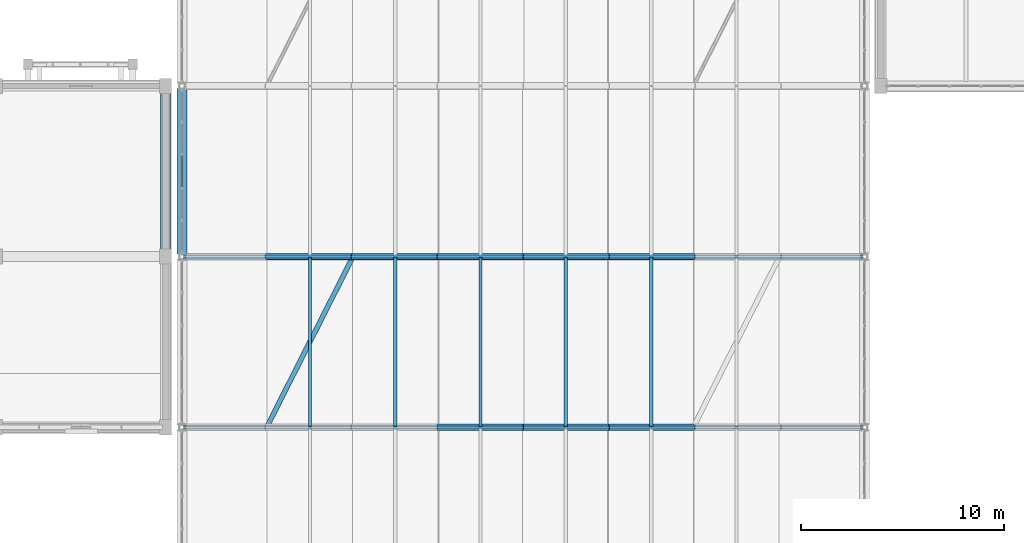
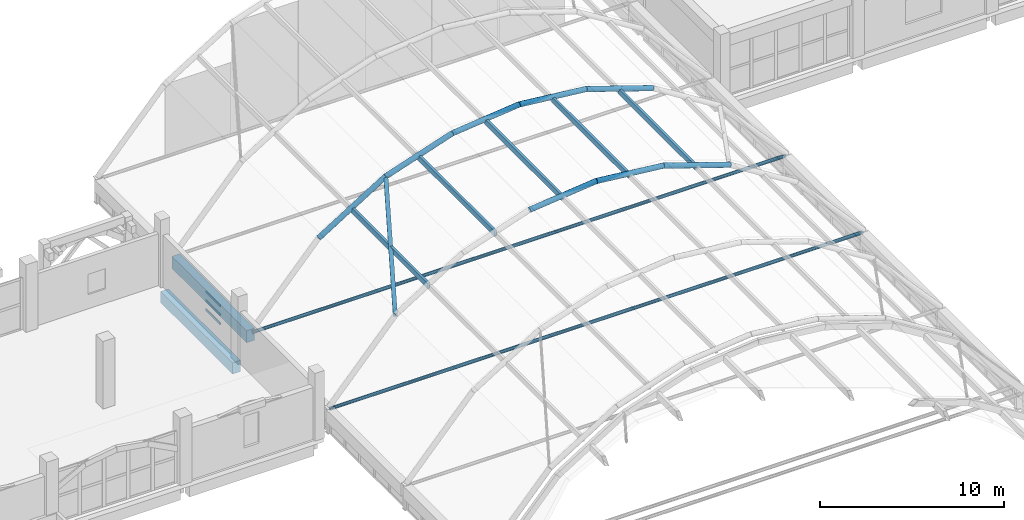
# One storey, part 62 of 114: 12 beams, 9 members, 1 element without a shape of its own.
"""IFC4 building model written with IfcOpenShell, lengths in metres."""

from ifc_helpers import new_model, si_unit, direction, frame, origin, origin_2d, place, context, subcontext, project, spatial, rectangle, hollow_rectangle, hollow_circle, i_section, extrude, material, layer, layer_set, material_profile, profile_set, type_object, element, aggregate, save


model = new_model("IFC4")

# Units and contexts
model_context = context("Model", 3, precision=1e-05, world=origin(), true_north=direction((0.0, 1.0)))
body_context = subcontext(model_context, "Body", "Model", "MODEL_VIEW")
ifc_project = project(units=[si_unit("LENGTHUNIT", "METRE"), si_unit("AREAUNIT", "SQUARE_METRE"), si_unit("VOLUMEUNIT", "CUBIC_METRE"), si_unit("PLANEANGLEUNIT", "RADIAN"), si_unit("MASSUNIT", "GRAM", prefix="KILO")], contexts=[model_context])

# Site, building, storey
site_placement = place(None, origin())
site = spatial("IfcSite", under=ifc_project, at=site_placement, CompositionType="ELEMENT")
building_placement = place(site_placement, origin())
building = spatial("IfcBuilding", under=site, at=building_placement, Name="Xazarin Passage Department Store", CompositionType="ELEMENT")
storey_placement = place(building_placement, frame((0.0, 0.0, 14.39990234375)))
storey = spatial("IfcBuildingStorey", under=building, at=storey_placement, Name="L03", CompositionType="ELEMENT", Elevation=14.39990234375)

# Curtain wall, members
ifc_material_1 = material(Name="Bronze anodised aluminium", Category="aluminium")
ifc_layer = layer(ifc_material_1, 0.159912109375)
ifc_layer_set = layer_set([ifc_layer], Name="Bronze anodised aluminium")
curtain_wall_type = type_object("IfcCurtainWallType", Name="ARC-CW-ARC1", PredefinedType="NOTDEFINED", material=ifc_layer_set)
curtain_wall_placement = place(storey_placement, origin())
curtain_wall = element("IfcCurtainWall", 1, at=curtain_wall_placement, inside=storey, type_object=curtain_wall_type, Name="L03 V2N Galleria Clerestory Curtain Wall 4W", PredefinedType="NOTDEFINED")
ifc_material_profile_1 = material_profile(ifc_material_1, hollow_rectangle(XDim=0.06494140625, YDim=0.139892578125, WallThickness=0.00390625, at=origin_2d()), Name="ALU 65x140")
ifc_profile_set_1 = profile_set([ifc_material_profile_1], Name="Bronze anodised aluminium")
member_type_1 = type_object("IfcMemberType", Name="ARC-CWT-65x140", PredefinedType="USERDEFINED", material=ifc_profile_set_1)
member_1_placement = place(storey_placement, frame((68.0, 79.824462890625, 0.03271484375), z_axis=(0.0, 1.0, 0.0), x_axis=(-1.0, 0.0, 0.0)))
member_1 = element("IfcMember", 2, at=member_1_placement, type_object=member_type_1, Name="CW3 transom 3.1", ObjectType="TRANSOM", PredefinedType="USERDEFINED", context=body_context, shape_type="SweptSolid", body=[
    extrude(hollow_rectangle(XDim=0.06494140625, YDim=0.139892578125, WallThickness=0.00390625, at=origin_2d()), origin(), (0.0, 0.0, 1.0), 1.551025390625),
])
member_2_placement = place(storey_placement, frame((68.0, 79.824462890625, 0.6259765625), z_axis=(0.0, 1.0, 0.0), x_axis=(-1.0, 0.0, 0.0)))
member_2 = element("IfcMember", 3, at=member_2_placement, type_object=member_type_1, Name="CW3 transom 3.2", ObjectType="TRANSOM", PredefinedType="USERDEFINED", context=body_context, shape_type="SweptSolid", body=[
    extrude(hollow_rectangle(XDim=0.06494140625, YDim=0.139892578125, WallThickness=0.00390625, at=origin_2d()), origin(), (0.0, 0.0, 1.0), 1.551025390625),
])
member_3_placement = place(storey_placement, frame((68.0, 79.824462890625, 1.21923828125), z_axis=(0.0, 1.0, 0.0), x_axis=(-1.0, 0.0, 0.0)))
member_3 = element("IfcMember", 4, at=member_3_placement, type_object=member_type_1, Name="CW3 transom 3.3", ObjectType="TRANSOM", PredefinedType="USERDEFINED", context=body_context, shape_type="SweptSolid", body=[
    extrude(hollow_rectangle(XDim=0.06494140625, YDim=0.139892578125, WallThickness=0.00390625, at=origin_2d()), origin(), (0.0, 0.0, 1.0), 1.551025390625),
])
aggregate(curtain_wall, [member_1, member_2, member_3])

# Beams
ifc_material_2 = material(Name="Steel S355", Category="steel")
ifc_material_profile_2 = material_profile(ifc_material_2, hollow_circle(Radius=0.161865234375, WallThickness=0.01611328125, at=origin_2d()), Name="CHS 323.9x16")
ifc_profile_set_2 = profile_set([ifc_material_profile_2], Name="Steel S355")
beam_type_1 = type_object("IfcBeamType", Name="STR-BM-AR324", PredefinedType="BEAM", material=ifc_profile_set_2)
for number, where, z_axis, x_axis, name in (
    (5, (80.60009765625, 68.0, 10.35400390625), (0.994407785938, 0.0, 0.105608499966), (0.0, 1.0, 0.0), "V2N Primary Arch Rib 3.4"),
    (6, (84.800048828125, 68.0, 10.800048828125), (0.994407785938, 0.0, -0.105608499966), (0.0, 1.0, 0.0), "V2N Primary Arch Rib 3.5"),
):
    element("IfcBeam", number, at=place(storey_placement, frame(where, z_axis=z_axis, x_axis=x_axis)), inside=storey, type_object=beam_type_1, Name=name, PredefinedType="BEAM", context=body_context, shape_type="SweptSolid", body=[
        extrude(hollow_circle(Radius=0.161865234375, WallThickness=0.01611328125, at=origin_2d()), origin(), (0.0, 0.0, 1.0), 4.2236328125),
    ])
beam_1_placement = place(storey_placement, frame((89.0, 68.0, 10.35400390625), z_axis=(0.948457009421, 0.0, -0.316905823993), x_axis=(0.0, 1.0, 0.0)))
element("IfcBeam", 7, at=beam_1_placement, inside=storey, type_object=beam_type_1, Name="V2N Primary Arch Rib 3.6", PredefinedType="BEAM", context=body_context, shape_type="SweptSolid", body=[
    extrude(hollow_circle(Radius=0.161865234375, WallThickness=0.01611328125, at=origin_2d()), origin(), (0.0, 0.0, 1.0), 4.42822265625),
])
beam_2_placement = place(storey_placement, frame((72.199951171875, 76.39990234375, 6.33203125), z_axis=(0.848571440894, 0.0, 0.529080815848), x_axis=(0.0, 1.0, 0.0)))
element("IfcBeam", 8, at=beam_2_placement, inside=storey, type_object=beam_type_1, Name="V2N Primary Arch Rib 4.2", PredefinedType="BEAM", context=body_context, shape_type="SweptSolid", body=[
    extrude(hollow_circle(Radius=0.161865234375, WallThickness=0.01611328125, at=origin_2d()), origin(), (0.0, 0.0, 1.0), 4.949462890625),
])
beam_3_placement = place(storey_placement, frame((76.39990234375, 76.39990234375, 8.95068359375), z_axis=(0.948462545979, 0.0, 0.31688925333), x_axis=(0.0, 1.0, 0.0)))
element("IfcBeam", 9, at=beam_3_placement, inside=storey, type_object=beam_type_1, Name="V2N Primary Arch Rib 4.3", PredefinedType="BEAM", context=body_context, shape_type="SweptSolid", body=[
    extrude(hollow_circle(Radius=0.161865234375, WallThickness=0.01611328125, at=origin_2d()), origin(), (0.0, 0.0, 1.0), 4.428466796875),
])
for number, where, z_axis, x_axis, name in (
    (10, (80.60009765625, 76.39990234375, 10.35400390625), (0.994407785938, 0.0, 0.105608499966), (0.0, 1.0, 0.0), "V2N Primary Arch Rib 4.4"),
    (11, (84.800048828125, 76.39990234375, 10.800048828125), (0.994407785938, 0.0, -0.105608499966), (0.0, 1.0, 0.0), "V2N Primary Arch Rib 4.5"),
):
    element("IfcBeam", number, at=place(storey_placement, frame(where, z_axis=z_axis, x_axis=x_axis)), inside=storey, type_object=beam_type_1, Name=name, PredefinedType="BEAM", context=body_context, shape_type="SweptSolid", body=[
        extrude(hollow_circle(Radius=0.161865234375, WallThickness=0.01611328125, at=origin_2d()), origin(), (0.0, 0.0, 1.0), 4.2236328125),
    ])
beam_4_placement = place(storey_placement, frame((89.0, 76.39990234375, 10.35400390625), z_axis=(0.948457009421, 0.0, -0.316905823993), x_axis=(0.0, 1.0, 0.0)))
element("IfcBeam", 12, at=beam_4_placement, inside=storey, type_object=beam_type_1, Name="V2N Primary Arch Rib 4.6", PredefinedType="BEAM", context=body_context, shape_type="SweptSolid", body=[
    extrude(hollow_circle(Radius=0.161865234375, WallThickness=0.01611328125, at=origin_2d()), origin(), (0.0, 0.0, 1.0), 4.42822265625),
])
ifc_material_3 = material(Name="Concrete C40/50", Category="concrete")
ifc_material_profile_3 = material_profile(ifc_material_3, rectangle(XDim=0.5, YDim=0.800048828125, at=origin_2d()), Name="RC 500x800")
ifc_profile_set_3 = profile_set([ifc_material_profile_3], Name="Concrete C40/50")
beam_type_2 = type_object("IfcBeamType", Name="STR-BM-RG500x800", PredefinedType="BEAM", material=ifc_profile_set_3)
beam_5_placement = place(storey_placement, frame((68.0, 76.52001953125, 1.251708984375), z_axis=(0.0, 1.0, 0.0), x_axis=(-1.0, 0.0, 0.0)))
element("IfcBeam", 13, at=beam_5_placement, inside=storey, type_object=beam_type_2, Name="V2N Springing Ring Girder W-4", PredefinedType="BEAM", context=body_context, shape_type="SweptSolid", body=[
    extrude(rectangle(XDim=0.5, YDim=0.800048828125, at=origin_2d()), origin(), (0.0, 0.0, 1.0), 8.159912109375),
])
ifc_material_4 = material(Name="Concrete C35/45", Category="concrete")
ifc_material_profile_4 = material_profile(ifc_material_4, rectangle(XDim=0.5, YDim=0.75, at=origin_2d()), Name="RC 500x750")
ifc_profile_set_4 = profile_set([ifc_material_profile_4], Name="Concrete C35/45")
beam_type_3 = type_object("IfcBeamType", Name="STR-BM-SP500x750", PredefinedType="SPANDREL", material=ifc_profile_set_4)
beam_6_placement = place(storey_placement, frame((67.199951171875, 76.679931640625, -0.6748046875), z_axis=(0.0, 1.0, 0.0), x_axis=(-1.0, 0.0, 0.0)))
element("IfcBeam", 14, at=beam_6_placement, inside=storey, type_object=beam_type_3, Name="L03 Grid Beam 9/L-M", PredefinedType="SPANDREL", context=body_context, shape_type="SweptSolid", body=[
    extrude(rectangle(XDim=0.5, YDim=0.75, at=origin_2d()), origin(), (0.0, 0.0, 1.0), 7.840087890625),
])
ifc_material_profile_5 = material_profile(ifc_material_2, hollow_circle(Radius=0.109619140625, WallThickness=0.012451171875, at=origin_2d()), Name="CHS 219.1x12.5")
ifc_profile_set_5 = profile_set([ifc_material_profile_5], Name="Steel S355")
beam_type_4 = type_object("IfcBeamType", Name="STR-BM-TIE219", PredefinedType="BEAM", material=ifc_profile_set_5)
for number, where, z_axis, x_axis, name in (
    (15, (68.050048828125, 68.0, 1.53173828125), (1.0, 0.0, 0.0), (0.0, 1.0, 0.0), "V2N Arch Tie Beam 3"),
    (16, (68.050048828125, 76.39990234375, 1.53173828125), (1.0, 0.0, 0.0), (0.0, 1.0, 0.0), "V2N Arch Tie Beam 4"),
):
    element("IfcBeam", number, at=place(storey_placement, frame(where, z_axis=z_axis, x_axis=x_axis)), inside=storey, type_object=beam_type_4, Name=name, PredefinedType="BEAM", context=body_context, shape_type="SweptSolid", body=[
        extrude(hollow_circle(Radius=0.109619140625, WallThickness=0.012451171875, at=origin_2d()), origin(), (0.0, 0.0, 1.0), 33.5),
    ])

# Members
ifc_material_5 = material(Name="Glulam GL28h", Category="wood")
ifc_material_profile_6 = material_profile(ifc_material_5, rectangle(XDim=0.159912109375, YDim=0.360107421875, at=origin_2d()), Name="GL28h 160x360")
ifc_profile_set_6 = profile_set([ifc_material_profile_6], Name="Glulam GL28h")
member_type_2 = type_object("IfcMemberType", Name="STR-MEM-GL360", PredefinedType="PURLIN", material=ifc_profile_set_6)
for number, where, z_axis, x_axis, name in (
    (17, (74.300048828125, 68.02001953125, 7.50341796875), (0.0, 1.0, 0.0), (-1.0, 0.0, 0.0), "V2N Glulam Gridshell Purlin 3.2"),
    (18, (78.5, 68.02001953125, 9.514404296875), (0.0, 1.0, 0.0), (-1.0, 0.0, 0.0), "V2N Glulam Gridshell Purlin 3.3"),
    (19, (82.699951171875, 68.02001953125, 10.439208984375), (0.0, 1.0, 0.0), (-1.0, 0.0, 0.0), "V2N Glulam Gridshell Purlin 3.4"),
    (20, (86.89990234375, 68.02001953125, 10.439208984375), (0.0, 1.0, 0.0), (-1.0, 0.0, 0.0), "V2N Glulam Gridshell Purlin 3.5"),
    (21, (91.10009765625, 68.02001953125, 9.514404296875), (0.0, 1.0, 0.0), (-1.0, 0.0, 0.0), "V2N Glulam Gridshell Purlin 3.6"),
):
    element("IfcMember", number, at=place(storey_placement, frame(where, z_axis=z_axis, x_axis=x_axis)), inside=storey, type_object=member_type_2, Name=name, PredefinedType="PURLIN", context=body_context, shape_type="SweptSolid", body=[
        extrude(rectangle(XDim=0.159912109375, YDim=0.360107421875, at=origin_2d()), origin(), (0.0, 0.0, 1.0), 8.35986328125),
    ])
ifc_material_profile_7 = material_profile(ifc_material_2, i_section(OverallWidth=0.239990234375, OverallDepth=0.239990234375, WebThickness=0.010009765625, FlangeThickness=0.01708984375, FilletRadius=0.02099609375, at=origin_2d()), Name="HEB 240")
ifc_profile_set_7 = profile_set([ifc_material_profile_7], Name="Steel S355")
member_type_3 = type_object("IfcMemberType", Name="STR-MEM-HB240", PredefinedType="BRACE", material=ifc_profile_set_7)
member_4_placement = place(storey_placement, frame((72.199951171875, 68.050048828125, 6.281982421875), z_axis=(0.434609592328, 0.858886375073, 0.270977299733), x_axis=(-0.892269998561, 0.451502214467, 0.0)))
element("IfcMember", 22, at=member_4_placement, inside=storey, type_object=member_type_3, Name="V2N Gridshell Diagonal Brace 3.1", PredefinedType="BRACE", context=body_context, shape_type="SweptSolid", body=[
    extrude(i_section(OverallWidth=0.239990234375, OverallDepth=0.239990234375, WebThickness=0.010009765625, FlangeThickness=0.01708984375, FilletRadius=0.02099609375, at=origin_2d()), origin(), (0.0, 0.0, 1.0), 9.663818359375),
])

save(model, "model.ifc")
